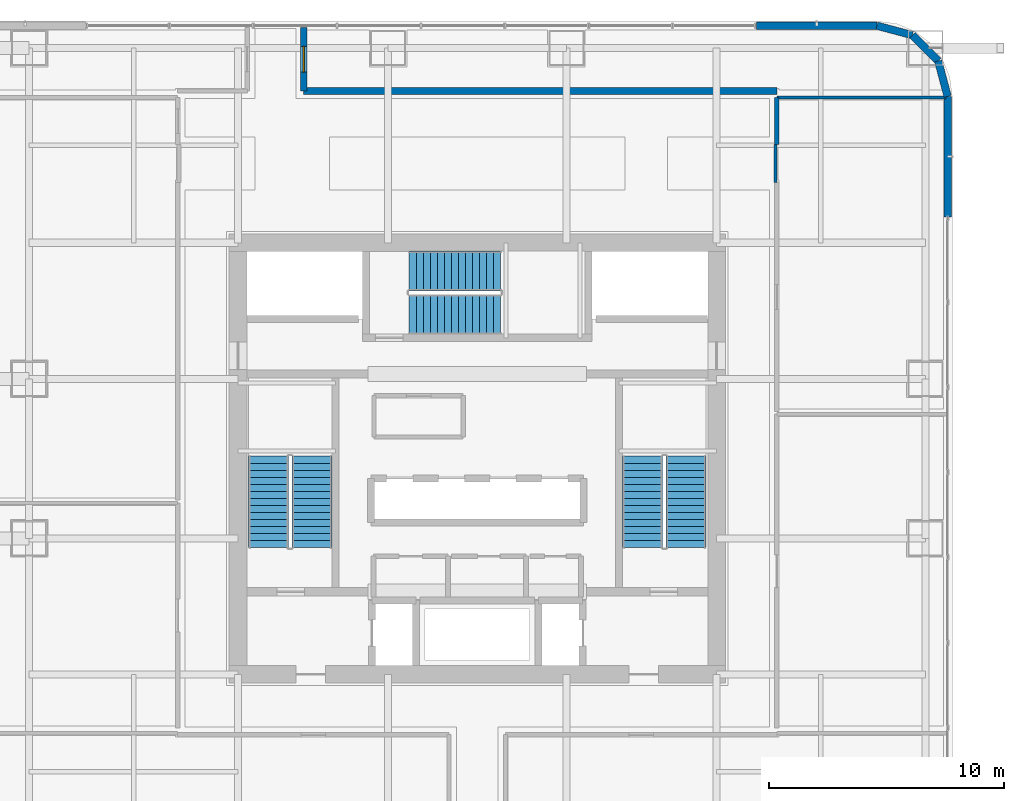
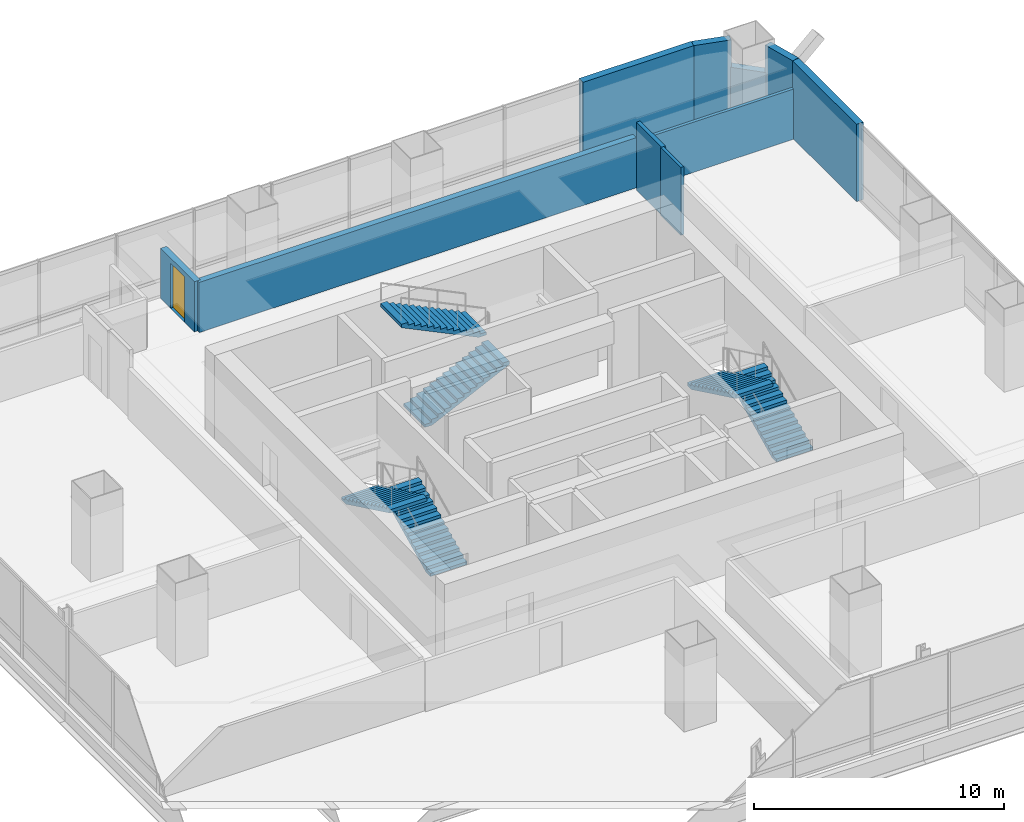
# One storey, part 31 of 45: 10 walls, 6 stair flights, 1 door, 1 opening, 3 elements without a shape of their own.
"""IFC4 building model written with IfcOpenShell, lengths in metres."""

from ifc_helpers import new_model, si_unit, direction, frame, frame_2d, origin, place, context, subcontext, project, spatial, polyline, rectangle, outline, extrude, material, layer, layer_set, type_object, element, fill, aggregate, save


model = new_model("IFC4")

# Units and contexts
model_context = context("Model", 3, precision=1e-05, world=origin(), true_north=direction((0.0, 1.0)))
body_context = subcontext(model_context, "Body", "Model", "MODEL_VIEW")
ifc_project = project(units=[si_unit("LENGTHUNIT", "METRE"), si_unit("AREAUNIT", "SQUARE_METRE"), si_unit("VOLUMEUNIT", "CUBIC_METRE"), si_unit("PLANEANGLEUNIT", "RADIAN"), si_unit("MASSUNIT", "GRAM", prefix="KILO")], contexts=[model_context])

# Site, building, storey
site_placement = place(None, origin())
site = spatial("IfcSite", under=ifc_project, at=site_placement, CompositionType="ELEMENT")
building_placement = place(site_placement, origin())
building = spatial("IfcBuilding", under=site, at=building_placement, Name="Punatoya Terracotta Tower", CompositionType="ELEMENT")
storey_placement = place(building_placement, frame((0.0, 0.0, 56.550048828125)))
storey = spatial("IfcBuildingStorey", under=building, at=storey_placement, Name="L12", CompositionType="ELEMENT", Elevation=56.550048828125)

# Wall, opening, door
ifc_material_1 = material(Name="Concrete C40/50", Category="concrete")
ifc_layer_1 = layer(ifc_material_1, 0.280029296875)
ifc_layer_set_1 = layer_set([ifc_layer_1], Name="Concrete C40/50")
wall_type_1 = type_object("IfcWallType", Name="WL-AUD-280", PredefinedType="SOLIDWALL", material=ifc_layer_set_1)
wall_1_placement = place(storey_placement, frame((-7.39990234375, 15.669921875, 0.0), z_axis=(0.0, 0.0, 1.0), x_axis=(0.0, 1.0, 0.0)))
wall_1 = element("IfcWall", 1, at=wall_1_placement, inside=storey, type_object=wall_type_1, Name="L12 Open-Plan Fitness Movement Lounge Partition 32", PredefinedType="SOLIDWALL", context=body_context, shape_type="SweptSolid", body=[
    extrude(rectangle(XDim=2.7001953125, YDim=0.280029296875, at=frame_2d((1.35009765625, 0.0))), origin(), (0.0, 0.0, 1.0), 2.44384765625),
])
opening_placement = place(wall_1_placement, frame((0.800048828125, 0.0, 0.0)))
opening = element("IfcOpeningElement", 2, at=opening_placement, cuts=wall_1, Name="Opening FD-P1", PredefinedType="OPENING", context=body_context, shape_type="SweptSolid", body=[
    extrude(rectangle(XDim=1.10009765625, YDim=2.199951171875, at=frame_2d((0.550048828125, 1.10009765625))), frame((0.0, 0.14990234375, 0.0), z_axis=(0.0, -1.0, 0.0), x_axis=(1.0, 0.0, 0.0)), (0.0, 0.0, 1.0), 0.300048828125),
])
ifc_material_2 = material(Name="Galvanised Steel Plant Fire Door", Category="steel")
door_type = type_object("IfcDoorType", Name="DR-PLT-1100", OperationType="NOTDEFINED", PredefinedType="DOOR", material=ifc_material_2)
door_placement = place(opening_placement, origin())
door = element("IfcDoor", 3, at=door_placement, inside=storey, type_object=door_type, Name="L12 Open-Plan Fitness Movement Lounge Fire Door", OperationType="SINGLE_SWING_RIGHT", OverallHeight=2.199951171875, OverallWidth=1.10009765625, PredefinedType="DOOR", context=body_context, shape_type="SweptSolid", body=[
    extrude(rectangle(XDim=1.10009765625, YDim=2.199951171875, at=frame_2d((0.550048828125, 1.10009765625))), frame((0.0, 0.02490234375, 0.0), z_axis=(0.0, -1.0, 0.0), x_axis=(1.0, 0.0, 0.0)), (0.0, 0.0, 1.0), 0.050048828125),
])
fill(opening, door)

# Walls
wall_2_placement = place(storey_placement, frame((12.77001953125, 15.669921875, 0.0), z_axis=(0.0, 0.0, 1.0), x_axis=(-1.0, 0.0, 0.0)))
element("IfcWall", 4, at=wall_2_placement, inside=storey, type_object=wall_type_1, Name="L12 Open-Plan Fitness Movement Lounge Partition 33", PredefinedType="SOLIDWALL", context=body_context, shape_type="SweptSolid", body=[
    extrude(rectangle(XDim=20.169921875, YDim=0.280029296875, at=frame_2d((10.0849609375, 0.0))), origin(), (0.0, 0.0, 1.0), 2.44384765625),
])
ifc_material_3 = material(Name="Gypsum Fireboard + Steel Stud", Category="steel")
ifc_layer_2 = layer(ifc_material_3, 0.179931640625)
ifc_layer_set_2 = layer_set([ifc_layer_2], Name="Gypsum Fireboard + Steel Stud")
wall_type_2 = type_object("IfcWallType", Name="WL-CORR-180", PredefinedType="PARTITIONING", material=ifc_layer_set_2)
wall_3_placement = place(storey_placement, frame((12.77001953125, 13.3798828125, 0.0), z_axis=(0.0, 0.0, 1.0), x_axis=(0.0, 1.0, 0.0)))
element("IfcWall", 5, at=wall_3_placement, inside=storey, type_object=wall_type_2, Name="L12 Open-Plan Mindfulness Wellness Room Partition 28", PredefinedType="PARTITIONING", context=body_context, shape_type="SweptSolid", body=[
    extrude(rectangle(XDim=2.010009765625, YDim=0.179931640625, at=frame_2d((1.0048828125, 0.0))), origin(), (0.0, 0.0, 1.0), 3.31396484375),
])
ifc_material_4 = material(Name="Precast concrete C40/50", Category="concrete")
ifc_layer_3 = layer(ifc_material_4, 0.320068359375)
ifc_layer_set_3 = layer_set([ifc_layer_3], Name="Precast concrete C40/50")
wall_type_3 = type_object("IfcWallType", Name="WL-EXT-320", PredefinedType="SOLIDWALL", material=ifc_layer_set_3)
wall_4_placement = place(storey_placement, frame((20.050048828125, 10.300048828125, 0.0), z_axis=(0.0, 0.0, 1.0), x_axis=(0.0, 1.0, 0.0)))
element("IfcWall", 6, at=wall_4_placement, inside=storey, type_object=wall_type_3, Name="L12 Terracotta Braced Facade Wall E2", PredefinedType="SOLIDWALL", context=body_context, shape_type="SweptSolid", body=[
    extrude(rectangle(XDim=5.136962890625, YDim=0.320068359375, at=frame_2d((2.568359375, 0.0))), origin(), (0.0, 0.0, 1.0), 3.77001953125),
])
wall_5_placement = place(storey_placement, frame((20.050048828125, 15.43701171875, 0.0), z_axis=(0.0, 0.0, 1.0), x_axis=(-0.257847112249, 0.966185730957, 0.0)))
element("IfcWall", 7, at=wall_5_placement, inside=storey, type_object=wall_type_3, Name="L12 Rounded Terracotta Corner Pier 06", PredefinedType="SOLIDWALL", context=body_context, shape_type="SweptSolid", body=[
    extrude(rectangle(XDim=1.565185546875, YDim=0.320068359375, at=frame_2d((0.78271484375, 0.0))), origin(), (0.0, 0.0, 1.0), 3.77001953125),
])
wall_6_placement = place(storey_placement, frame((19.646484375, 16.94921875, 0.0), z_axis=(0.0, 0.0, 1.0), x_axis=(-0.707106781187, 0.707106781187, 0.0)))
element("IfcWall", 8, at=wall_6_placement, inside=storey, type_object=wall_type_3, Name="L12 Rounded Terracotta Corner Pier 07", PredefinedType="SOLIDWALL", context=body_context, shape_type="SweptSolid", body=[
    extrude(rectangle(XDim=1.552001953125, YDim=0.320068359375, at=frame_2d((0.77587890625, 0.0))), origin(), (0.0, 0.0, 1.0), 2.44384765625),
])
wall_7_placement = place(storey_placement, frame((18.549072265625, 18.046630859375, 0.0), z_axis=(0.0, 0.0, 1.0), x_axis=(-0.966224582397, 0.257701486942, 0.0)))
element("IfcWall", 9, at=wall_7_placement, inside=storey, type_object=wall_type_3, Name="L12 Rounded Terracotta Corner Pier 08", PredefinedType="SOLIDWALL", context=body_context, shape_type="SweptSolid", body=[
    extrude(rectangle(XDim=1.565185546875, YDim=0.320068359375, at=frame_2d((0.78271484375, 0.0))), origin(), (0.0, 0.0, 1.0), 3.77001953125),
])
wall_8_placement = place(storey_placement, frame((17.036865234375, 18.449951171875, 0.0), z_axis=(0.0, 0.0, 1.0), x_axis=(-1.0, 0.0, 0.0)))
element("IfcWall", 10, at=wall_8_placement, inside=storey, type_object=wall_type_3, Name="L12 Terracotta Braced Facade Wall N1", PredefinedType="SOLIDWALL", context=body_context, shape_type="SweptSolid", body=[
    extrude(rectangle(XDim=5.136962890625, YDim=0.320068359375, at=frame_2d((2.568359375, 0.0))), origin(), (0.0, 0.0, 1.0), 3.77001953125),
])
ifc_material_5 = material(Name="Acoustic Gypsum + Steel Stud", Category="steel")
ifc_layer_4 = layer(ifc_material_5, 0.139892578125)
ifc_layer_set_4 = layer_set([ifc_layer_4], Name="Acoustic Gypsum + Steel Stud")
wall_type_4 = type_object("IfcWallType", Name="WL-OFF-140", PredefinedType="PARTITIONING", material=ifc_layer_set_4)
wall_9_placement = place(storey_placement, frame((12.7099609375, 11.77001953125, 0.0), z_axis=(0.0, 0.0, 1.0), x_axis=(0.0, 1.0, 0.0)))
element("IfcWall", 11, at=wall_9_placement, inside=storey, type_object=wall_type_4, Name="L12 Open-Plan Mindfulness Wellness Room Partition 27", PredefinedType="PARTITIONING", context=body_context, shape_type="SweptSolid", body=[
    extrude(rectangle(XDim=1.60986328125, YDim=0.139892578125, at=frame_2d((0.804931640625, 0.0))), origin(), (0.0, 0.0, 1.0), 3.31396484375),
])
wall_10_placement = place(storey_placement, frame((12.77001953125, 15.389892578125, 0.0), z_axis=(0.0, 0.0, 1.0), x_axis=(1.0, 0.0, 0.0)))
element("IfcWall", 12, at=wall_10_placement, inside=storey, type_object=wall_type_4, Name="L12 Open-Plan Mindfulness Wellness Room Partition 29", PredefinedType="PARTITIONING", context=body_context, shape_type="SweptSolid", body=[
    extrude(rectangle(XDim=7.199951171875, YDim=0.139892578125, at=frame_2d((3.60009765625, 0.0))), origin(), (0.0, 0.0, 1.0), 2.44384765625),
])

# Stair, stair flights
stair_type_1 = type_object("IfcStairType", Name="STR-CORE-1550", PredefinedType="HALF_TURN_STAIR", material=ifc_material_1)
stair_1_placement = place(storey_placement, origin())
stair_1 = element("IfcStair", 13, at=stair_1_placement, inside=storey, type_object=stair_type_1, Name="L12 Protected Core Exit Stair ST-1", PredefinedType="HALF_TURN_STAIR")
stair_flight_type_1 = type_object("IfcStairFlightType", Name="SFL-CORE-1550", PredefinedType="STRAIGHT", material=ifc_material_1)
stair_flight_1_placement = place(storey_placement, frame((-7.050048828125, -3.800048828125, 0.0), z_axis=(0.0, 0.0, 1.0), x_axis=(0.0, 1.0, 0.0)))
stair_flight_1 = element("IfcStairFlight", 14, at=stair_flight_1_placement, type_object=stair_flight_type_1, Name="ST-1 flight 1", NumberOfRisers=14, NumberOfTreads=13, PredefinedType="STRAIGHT", RiserHeight=0.144642857, TreadLength=0.3, context=body_context, shape_type="SweptSolid", body=[
    extrude(outline(polyline([(0.0, 0.0), (0.0, 0.14453125), (0.300048828125, 0.14453125), (0.300048828125, 0.289306640625), (0.60009765625, 0.289306640625), (0.60009765625, 0.433837890625), (0.89990234375, 0.433837890625), (0.89990234375, 0.57861328125), (1.199951171875, 0.57861328125), (1.199951171875, 0.72314453125), (1.5, 0.72314453125), (1.5, 0.867919921875), (1.800048828125, 0.867919921875), (1.800048828125, 1.012451171875), (2.10009765625, 1.012451171875), (2.10009765625, 1.1572265625), (2.39990234375, 1.1572265625), (2.39990234375, 1.3017578125), (2.699951171875, 1.3017578125), (2.699951171875, 1.446533203125), (3.0, 1.446533203125), (3.0, 1.591064453125), (3.300048828125, 1.591064453125), (3.300048828125, 1.735595703125), (3.60009765625, 1.735595703125), (3.60009765625, 1.88037109375), (3.89990234375, 1.88037109375), (3.89990234375, 2.02490234375), (3.89990234375, 1.7138671875), (0.34521484375, 0.0), (0.0, 0.0)])), frame((0.0, 0.85009765625, 0.0), z_axis=(0.0, -1.0, 0.0), x_axis=(1.0, 0.0, 0.0)), (0.0, 0.0, 1.0), 1.699951171875),
])
stair_flight_2_placement = place(storey_placement, frame((-8.89990234375, 0.10009765625, 2.02490234375), z_axis=(0.0, 0.0, 1.0), x_axis=(0.0, -1.0, 0.0)))
stair_flight_2 = element("IfcStairFlight", 15, at=stair_flight_2_placement, type_object=stair_flight_type_1, Name="ST-1 flight 2", NumberOfRisers=14, NumberOfTreads=13, PredefinedType="STRAIGHT", RiserHeight=0.144642857, TreadLength=0.3, context=body_context, shape_type="SweptSolid", body=[
    extrude(outline(polyline([(0.0, 0.0), (0.0, 0.14453125), (0.300048828125, 0.14453125), (0.300048828125, 0.289306640625), (0.60009765625, 0.289306640625), (0.60009765625, 0.433837890625), (0.89990234375, 0.433837890625), (0.89990234375, 0.57861328125), (1.199951171875, 0.57861328125), (1.199951171875, 0.72314453125), (1.5, 0.72314453125), (1.5, 0.867919921875), (1.800048828125, 0.867919921875), (1.800048828125, 1.012451171875), (2.10009765625, 1.012451171875), (2.10009765625, 1.1572265625), (2.39990234375, 1.1572265625), (2.39990234375, 1.3017578125), (2.699951171875, 1.3017578125), (2.699951171875, 1.446533203125), (3.0, 1.446533203125), (3.0, 1.591064453125), (3.300048828125, 1.591064453125), (3.300048828125, 1.735595703125), (3.60009765625, 1.735595703125), (3.60009765625, 1.88037109375), (3.89990234375, 1.88037109375), (3.89990234375, 2.02490234375), (3.89990234375, 1.7138671875), (0.34521484375, 0.0), (0.0, 0.0)])), frame((0.0, 0.85009765625, 0.0), z_axis=(0.0, -1.0, 0.0), x_axis=(1.0, 0.0, 0.0)), (0.0, 0.0, 1.0), 1.699951171875),
])
aggregate(stair_1, [stair_flight_1, stair_flight_2])

stair_type_2 = type_object("IfcStairType", Name="STR-LOB-1650", PredefinedType="HALF_TURN_STAIR", material=ifc_material_1)
stair_2_placement = place(storey_placement, origin())
stair_2 = element("IfcStair", 16, at=stair_2_placement, inside=storey, type_object=stair_type_2, Name="L12 Protected Core Exit Stair ST-2", PredefinedType="HALF_TURN_STAIR")
stair_flight_type_2 = type_object("IfcStairFlightType", Name="SFL-LOB-1650", PredefinedType="STRAIGHT", material=ifc_material_1)
stair_flight_3_placement = place(storey_placement, frame((8.89990234375, -3.800048828125, 0.0), z_axis=(0.0, 0.0, 1.0), x_axis=(0.0, 1.0, 0.0)))
stair_flight_3 = element("IfcStairFlight", 17, at=stair_flight_3_placement, type_object=stair_flight_type_2, Name="ST-2 flight 1", NumberOfRisers=14, NumberOfTreads=13, PredefinedType="STRAIGHT", RiserHeight=0.144642857, TreadLength=0.3, context=body_context, shape_type="SweptSolid", body=[
    extrude(outline(polyline([(0.0, 0.0), (0.0, 0.14453125), (0.300048828125, 0.14453125), (0.300048828125, 0.289306640625), (0.60009765625, 0.289306640625), (0.60009765625, 0.433837890625), (0.89990234375, 0.433837890625), (0.89990234375, 0.57861328125), (1.199951171875, 0.57861328125), (1.199951171875, 0.72314453125), (1.5, 0.72314453125), (1.5, 0.867919921875), (1.800048828125, 0.867919921875), (1.800048828125, 1.012451171875), (2.10009765625, 1.012451171875), (2.10009765625, 1.1572265625), (2.39990234375, 1.1572265625), (2.39990234375, 1.3017578125), (2.699951171875, 1.3017578125), (2.699951171875, 1.446533203125), (3.0, 1.446533203125), (3.0, 1.591064453125), (3.300048828125, 1.591064453125), (3.300048828125, 1.735595703125), (3.60009765625, 1.735595703125), (3.60009765625, 1.88037109375), (3.89990234375, 1.88037109375), (3.89990234375, 2.02490234375), (3.89990234375, 1.7138671875), (0.34521484375, 0.0), (0.0, 0.0)])), frame((0.0, 0.85009765625, 0.0), z_axis=(0.0, -1.0, 0.0), x_axis=(1.0, 0.0, 0.0)), (0.0, 0.0, 1.0), 1.699951171875),
])
stair_flight_4_placement = place(storey_placement, frame((7.050048828125, 0.10009765625, 2.02490234375), z_axis=(0.0, 0.0, 1.0), x_axis=(0.0, -1.0, 0.0)))
stair_flight_4 = element("IfcStairFlight", 18, at=stair_flight_4_placement, type_object=stair_flight_type_2, Name="ST-2 flight 2", NumberOfRisers=14, NumberOfTreads=13, PredefinedType="STRAIGHT", RiserHeight=0.144642857, TreadLength=0.3, context=body_context, shape_type="SweptSolid", body=[
    extrude(outline(polyline([(0.0, 0.0), (0.0, 0.14453125), (0.300048828125, 0.14453125), (0.300048828125, 0.289306640625), (0.60009765625, 0.289306640625), (0.60009765625, 0.433837890625), (0.89990234375, 0.433837890625), (0.89990234375, 0.57861328125), (1.199951171875, 0.57861328125), (1.199951171875, 0.72314453125), (1.5, 0.72314453125), (1.5, 0.867919921875), (1.800048828125, 0.867919921875), (1.800048828125, 1.012451171875), (2.10009765625, 1.012451171875), (2.10009765625, 1.1572265625), (2.39990234375, 1.1572265625), (2.39990234375, 1.3017578125), (2.699951171875, 1.3017578125), (2.699951171875, 1.446533203125), (3.0, 1.446533203125), (3.0, 1.591064453125), (3.300048828125, 1.591064453125), (3.300048828125, 1.735595703125), (3.60009765625, 1.735595703125), (3.60009765625, 1.88037109375), (3.89990234375, 1.88037109375), (3.89990234375, 2.02490234375), (3.89990234375, 1.7138671875), (0.34521484375, 0.0), (0.0, 0.0)])), frame((0.0, 0.85009765625, 0.0), z_axis=(0.0, -1.0, 0.0), x_axis=(1.0, 0.0, 0.0)), (0.0, 0.0, 1.0), 1.699951171875),
])
aggregate(stair_2, [stair_flight_3, stair_flight_4])

stair_type_3 = type_object("IfcStairType", Name="STR-TER-1450", PredefinedType="HALF_TURN_STAIR", material=ifc_material_1)
stair_3_placement = place(storey_placement, origin())
stair_3 = element("IfcStair", 19, at=stair_3_placement, inside=storey, type_object=stair_type_3, Name="L12 Protected Core Exit Stair ST-3", PredefinedType="HALF_TURN_STAIR")
stair_flight_type_3 = type_object("IfcStairFlightType", Name="SFL-TER-1450", PredefinedType="STRAIGHT", material=ifc_material_1)
stair_flight_5_placement = place(storey_placement, frame((-2.89990234375, 6.14990234375, 0.0), z_axis=(0.0, 0.0, 1.0), x_axis=(1.0, 0.0, 0.0)))
stair_flight_5 = element("IfcStairFlight", 20, at=stair_flight_5_placement, type_object=stair_flight_type_3, Name="ST-3 flight 1", NumberOfRisers=14, NumberOfTreads=13, PredefinedType="STRAIGHT", RiserHeight=0.144642857, TreadLength=0.3, context=body_context, shape_type="SweptSolid", body=[
    extrude(outline(polyline([(0.0, 0.0), (0.0, 0.14453125), (0.300048828125, 0.14453125), (0.300048828125, 0.289306640625), (0.60009765625, 0.289306640625), (0.60009765625, 0.433837890625), (0.89990234375, 0.433837890625), (0.89990234375, 0.57861328125), (1.199951171875, 0.57861328125), (1.199951171875, 0.72314453125), (1.5, 0.72314453125), (1.5, 0.867919921875), (1.800048828125, 0.867919921875), (1.800048828125, 1.012451171875), (2.10009765625, 1.012451171875), (2.10009765625, 1.1572265625), (2.39990234375, 1.1572265625), (2.39990234375, 1.3017578125), (2.699951171875, 1.3017578125), (2.699951171875, 1.446533203125), (3.0, 1.446533203125), (3.0, 1.591064453125), (3.300048828125, 1.591064453125), (3.300048828125, 1.735595703125), (3.60009765625, 1.735595703125), (3.60009765625, 1.88037109375), (3.89990234375, 1.88037109375), (3.89990234375, 2.02490234375), (3.89990234375, 1.7138671875), (0.34521484375, 0.0), (0.0, 0.0)])), frame((0.0, 0.85009765625, 0.0), z_axis=(0.0, -1.0, 0.0), x_axis=(1.0, 0.0, 0.0)), (0.0, 0.0, 1.0), 1.699951171875),
])
stair_flight_6_placement = place(storey_placement, frame((1.0, 8.0, 2.02490234375), z_axis=(0.0, 0.0, 1.0), x_axis=(-1.0, 0.0, 0.0)))
stair_flight_6 = element("IfcStairFlight", 21, at=stair_flight_6_placement, type_object=stair_flight_type_3, Name="ST-3 flight 2", NumberOfRisers=14, NumberOfTreads=13, PredefinedType="STRAIGHT", RiserHeight=0.144642857, TreadLength=0.3, context=body_context, shape_type="SweptSolid", body=[
    extrude(outline(polyline([(0.0, 0.0), (0.0, 0.14453125), (0.300048828125, 0.14453125), (0.300048828125, 0.289306640625), (0.60009765625, 0.289306640625), (0.60009765625, 0.433837890625), (0.89990234375, 0.433837890625), (0.89990234375, 0.57861328125), (1.199951171875, 0.57861328125), (1.199951171875, 0.72314453125), (1.5, 0.72314453125), (1.5, 0.867919921875), (1.800048828125, 0.867919921875), (1.800048828125, 1.012451171875), (2.10009765625, 1.012451171875), (2.10009765625, 1.1572265625), (2.39990234375, 1.1572265625), (2.39990234375, 1.3017578125), (2.699951171875, 1.3017578125), (2.699951171875, 1.446533203125), (3.0, 1.446533203125), (3.0, 1.591064453125), (3.300048828125, 1.591064453125), (3.300048828125, 1.735595703125), (3.60009765625, 1.735595703125), (3.60009765625, 1.88037109375), (3.89990234375, 1.88037109375), (3.89990234375, 2.02490234375), (3.89990234375, 1.7138671875), (0.34521484375, 0.0), (0.0, 0.0)])), frame((0.0, 0.85009765625, 0.0), z_axis=(0.0, -1.0, 0.0), x_axis=(1.0, 0.0, 0.0)), (0.0, 0.0, 1.0), 1.699951171875),
])
aggregate(stair_3, [stair_flight_5, stair_flight_6])

save(model, "model.ifc")
